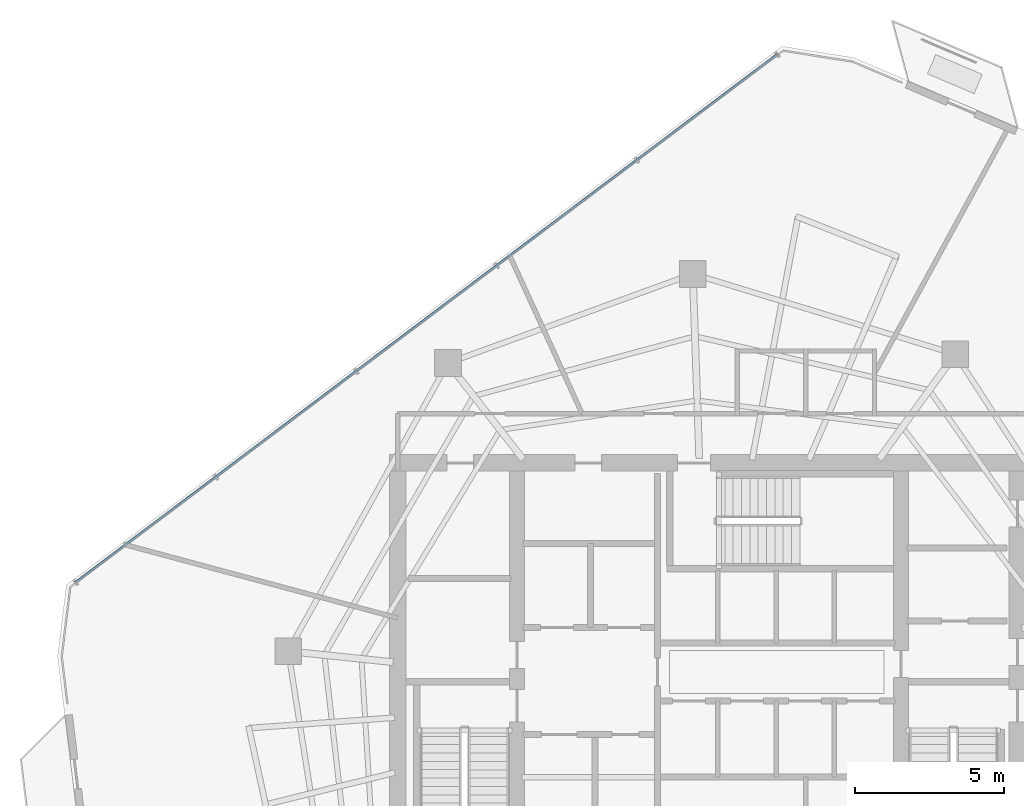
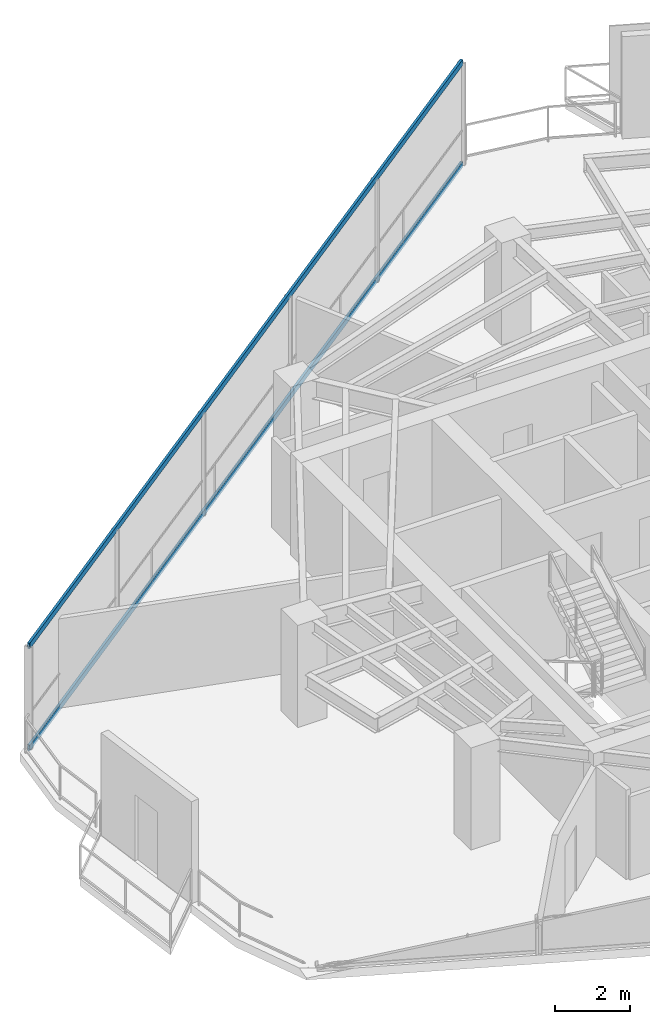
# One storey, part 10 of 18: 2 members, 1 element without a shape of its own.
"""IFC4 building model written with IfcOpenShell, lengths in metres."""

from ifc_helpers import new_model, si_unit, direction, frame, origin, origin_2d, place, context, subcontext, project, spatial, hollow_rectangle, extrude, material, layer, layer_set, material_profile, profile_set, type_object, element, aggregate, save


model = new_model("IFC4")

# Units and contexts
model_context = context("Model", 3, precision=1e-05, world=origin(), true_north=direction((0.0, 1.0)))
body_context = subcontext(model_context, "Body", "Model", "MODEL_VIEW")
ifc_project = project(units=[si_unit("LENGTHUNIT", "METRE"), si_unit("AREAUNIT", "SQUARE_METRE"), si_unit("VOLUMEUNIT", "CUBIC_METRE"), si_unit("PLANEANGLEUNIT", "RADIAN"), si_unit("MASSUNIT", "GRAM", prefix="KILO")], contexts=[model_context])

# Site, building, storey
site_placement = place(None, origin())
site = spatial("IfcSite", under=ifc_project, at=site_placement, CompositionType="ELEMENT")
building_placement = place(site_placement, origin())
building = spatial("IfcBuilding", under=site, at=building_placement, Name="Qarnah Convention Tower", CompositionType="ELEMENT")
storey_placement = place(building_placement, frame((0.0, 0.0, 205.800048828125)))
storey = spatial("IfcBuildingStorey", under=building, at=storey_placement, Name="L55", CompositionType="ELEMENT", Elevation=205.800048828125)

# Curtain wall, members
ifc_material_1 = material(Name="Tempered Low-E dark glass", Category="glass")
ifc_layer = layer(ifc_material_1, 0.174072265625)
ifc_layer_set = layer_set([ifc_layer], Name="Tempered Low-E dark glass")
curtain_wall_type = type_object("IfcCurtainWallType", Name="CWS-04", PredefinedType="NOTDEFINED", material=ifc_layer_set)
curtain_wall_placement = place(storey_placement, origin())
curtain_wall = element("IfcCurtainWall", 1, at=curtain_wall_placement, inside=storey, type_object=curtain_wall_type, Name="L55 unitised curtain wall CW-L55-F2", PredefinedType="NOTDEFINED")
ifc_material_2 = material(Name="Black anodised aluminium", Category="aluminium")
ifc_material_profile = material_profile(ifc_material_2, hollow_rectangle(XDim=0.074951171875, YDim=0.18994140625, WallThickness=0.0048828125, at=origin_2d()), Name="TRN-75X190")
ifc_profile_set = profile_set([ifc_material_profile], Name="Black anodised aluminium")
member_type = type_object("IfcMemberType", Name="TRN-T4", PredefinedType="USERDEFINED", material=ifc_profile_set)
member_1_placement = place(storey_placement, frame((15.992919921875, 30.18994140625, 0.0), z_axis=(0.799035562542, 0.601283768111, 0.0), x_axis=(-0.601283768111, 0.799035562542, 0.0)))
member_1 = element("IfcMember", 2, at=member_1_placement, type_object=member_type, Name="CW-L55-F2 transom 1", ObjectType="TRANSOM", PredefinedType="USERDEFINED", context=body_context, shape_type="SweptSolid", body=[
    extrude(hollow_rectangle(XDim=0.074951171875, YDim=0.18994140625, WallThickness=0.0048828125, at=origin_2d()), origin(), (0.0, 0.0, 1.0), 29.467041015625),
])
member_2_placement = place(storey_placement, frame((15.992919921875, 30.18994140625, 3.320068359375), z_axis=(0.799035562542, 0.601283768111, 0.0), x_axis=(-0.601283768111, 0.799035562542, 0.0)))
member_2 = element("IfcMember", 3, at=member_2_placement, type_object=member_type, Name="CW-L55-F2 transom 2", ObjectType="TRANSOM", PredefinedType="USERDEFINED", context=body_context, shape_type="SweptSolid", body=[
    extrude(hollow_rectangle(XDim=0.074951171875, YDim=0.18994140625, WallThickness=0.0048828125, at=origin_2d()), origin(), (0.0, 0.0, 1.0), 29.467041015625),
])
aggregate(curtain_wall, [member_1, member_2])

save(model, "model.ifc")
